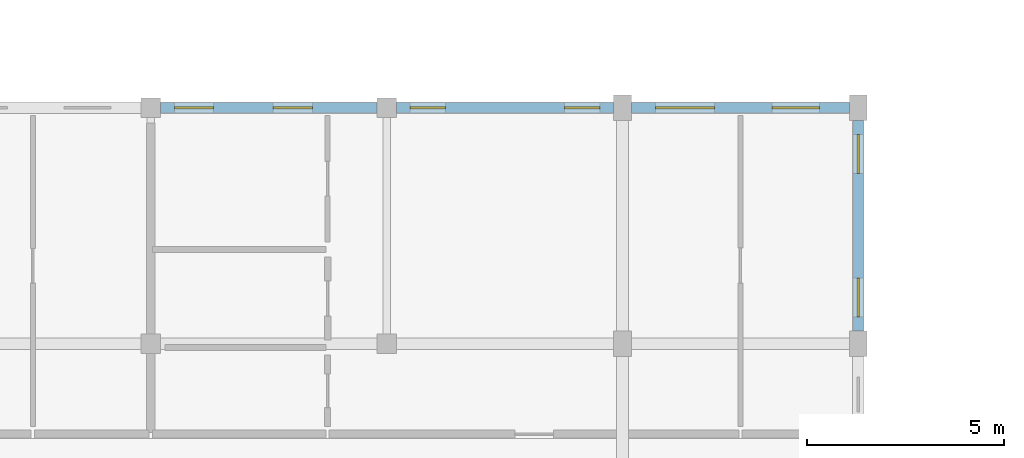
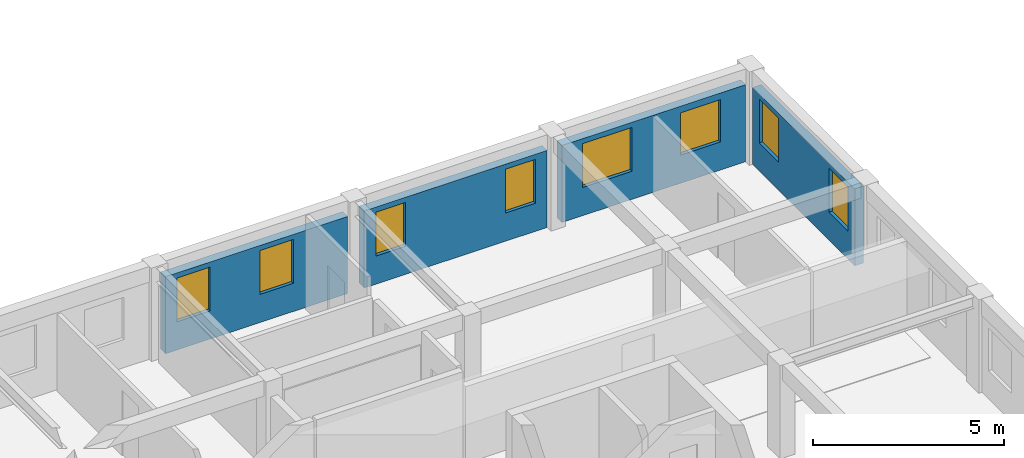
# One storey, part 8 of 23: 8 windows, 4 walls, 8 openings.
"""IFC4 building model written with IfcOpenShell, lengths in metres."""

from ifc_helpers import new_model, si_unit, direction, frame, frame_2d, origin, place, context, subcontext, project, spatial, rectangle, extrude, material, layer, layer_set, type_object, element, fill, save


model = new_model("IFC4")

# Units and contexts
model_context = context("Model", 3, precision=1e-05, world=origin(), true_north=direction((0.0, 1.0)))
body_context = subcontext(model_context, "Body", "Model", "MODEL_VIEW")
ifc_project = project(units=[si_unit("LENGTHUNIT", "METRE"), si_unit("AREAUNIT", "SQUARE_METRE"), si_unit("VOLUMEUNIT", "CUBIC_METRE"), si_unit("PLANEANGLEUNIT", "RADIAN"), si_unit("MASSUNIT", "GRAM", prefix="KILO"), si_unit("POWERUNIT", "WATT"), si_unit("THERMODYNAMICTEMPERATUREUNIT", "KELVIN")], contexts=[model_context])

# Site, building, storey
site_placement = place(None, origin())
site = spatial("IfcSite", under=ifc_project, at=site_placement, CompositionType="ELEMENT")
building_placement = place(site_placement, origin())
building = spatial("IfcBuilding", under=site, at=building_placement, Name="Ruvembo Vaulted Housing Court", CompositionType="ELEMENT")
storey_placement = place(building_placement, frame((0.0, 0.0, 26.89990234375)))
storey = spatial("IfcBuildingStorey", under=building, at=storey_placement, Name="L08", CompositionType="ELEMENT", Elevation=26.89990234375)

# Wall, openings, windows
ifc_material_1 = material(Name="Rendered Masonry 260", Category="masonry")
ifc_layer = layer(ifc_material_1, 0.260009765625, Name="Rendered Masonry 260")
ifc_layer_set = layer_set([ifc_layer], Name="Rendered Masonry 260")
wall_type = type_object("IfcWallType", Name="WL-EXT-260", PredefinedType="STANDARD", material=ifc_layer_set)
wall_1_placement = place(storey_placement, frame((36.0, 30.324951171875, 0.0), z_axis=(0.0, 0.0, 1.0), x_axis=(0.0, 1.0, 0.0)))
wall_1 = element("IfcWall", 1, at=wall_1_placement, inside=storey, type_object=wall_type, Name="Block A L08 Exterior Wall EAST #5", PredefinedType="STANDARD", context=body_context, shape_type="SweptSolid", body=[
    extrude(rectangle(XDim=5.35009765625, YDim=0.260009765625, at=frame_2d((2.675048828125, 0.0))), origin(), (0.0, 0.0, 1.0), 2.462158203125),
])
opening_1_placement = place(wall_1_placement, frame((0.35009765625, 0.0, 0.89990234375)))
opening_1 = element("IfcOpeningElement", 2, at=opening_1_placement, cuts=wall_1, Name="Opening W08", PredefinedType="OPENING", context=body_context, shape_type="SweptSolid", body=[
    extrude(rectangle(XDim=1.0, YDim=1.39990234375, at=frame_2d((0.5, 0.699951171875))), frame((0.0, 0.139892578125, 0.0), z_axis=(0.0, -1.0, 0.0), x_axis=(1.0, 0.0, 0.0)), (0.0, 0.0, 1.0), 0.280029296875),
])
opening_2_placement = place(wall_1_placement, frame((4.0, 0.0, 0.89990234375)))
opening_2 = element("IfcOpeningElement", 3, at=opening_2_placement, cuts=wall_1, Name="Opening W08", PredefinedType="OPENING", context=body_context, shape_type="SweptSolid", body=[
    extrude(rectangle(XDim=1.0, YDim=1.39990234375, at=frame_2d((0.5, 0.699951171875))), frame((0.0, 0.139892578125, 0.0), z_axis=(0.0, -1.0, 0.0), x_axis=(1.0, 0.0, 0.0)), (0.0, 0.0, 1.0), 0.280029296875),
])
ifc_material_2 = material(Name="Double Solar-Control Glazing in Aluminium Frame", Category="aluminium")
window_type_1 = type_object("IfcWindowType", Name="WIN-1000x1400", PartitioningType="SINGLE_PANEL", PredefinedType="WINDOW", material=ifc_material_2)
window_1_placement = place(opening_1_placement, origin())
window_1 = element("IfcWindow", 4, at=window_1_placement, inside=storey, type_object=window_type_1, Name="Block A L08 Window #362", OverallHeight=1.39990234375, OverallWidth=1.0, PartitioningType="SINGLE_PANEL", PredefinedType="WINDOW", context=body_context, shape_type="SweptSolid", body=[
    extrude(rectangle(XDim=1.0, YDim=1.39990234375, at=frame_2d((0.5, 0.699951171875))), frame((0.0, 0.030029296875, 0.0), z_axis=(0.0, -1.0, 0.0), x_axis=(1.0, 0.0, 0.0)), (0.0, 0.0, 1.0), 0.06005859375),
])
fill(opening_1, window_1)
window_2_placement = place(opening_2_placement, origin())
window_2 = element("IfcWindow", 5, at=window_2_placement, inside=storey, type_object=window_type_1, Name="Block A L08 Window #363", OverallHeight=1.39990234375, OverallWidth=1.0, PartitioningType="SINGLE_PANEL", PredefinedType="WINDOW", context=body_context, shape_type="SweptSolid", body=[
    extrude(rectangle(XDim=1.0, YDim=1.39990234375, at=frame_2d((0.5, 0.699951171875))), frame((0.0, 0.030029296875, 0.0), z_axis=(0.0, -1.0, 0.0), x_axis=(1.0, 0.0, 0.0)), (0.0, 0.0, 1.0), 0.06005859375),
])
fill(opening_2, window_2)

wall_2_placement = place(storey_placement, frame((35.77490234375, 36.0, 0.0), z_axis=(0.0, 0.0, 1.0), x_axis=(-1.0, 0.0, 0.0)))
wall_2 = element("IfcWall", 6, at=wall_2_placement, inside=storey, type_object=wall_type, Name="Block A L08 Exterior Wall COURTYARD #1", PredefinedType="STANDARD", context=body_context, shape_type="SweptSolid", body=[
    extrude(rectangle(XDim=5.5498046875, YDim=0.260009765625, at=frame_2d((2.77490234375, 0.0))), origin(), (0.0, 0.0, 1.0), 2.462158203125),
])
opening_3_placement = place(wall_2_placement, frame((0.767578125, 0.0, 0.89990234375)))
opening_3 = element("IfcOpeningElement", 7, at=opening_3_placement, cuts=wall_2, Name="Opening W12", PredefinedType="OPENING", context=body_context, shape_type="SweptSolid", body=[
    extrude(rectangle(XDim=1.199951171875, YDim=1.35009765625, at=frame_2d((0.60009765625, 0.675048828125))), frame((0.0, 0.139892578125, 0.0), z_axis=(0.0, -1.0, 0.0), x_axis=(1.0, 0.0, 0.0)), (0.0, 0.0, 1.0), 0.280029296875),
])
opening_4_placement = place(wall_2_placement, frame((3.4326171875, 0.0, 0.89990234375)))
opening_4 = element("IfcOpeningElement", 8, at=opening_4_placement, cuts=wall_2, Name="Opening W18", PredefinedType="OPENING", context=body_context, shape_type="SweptSolid", body=[
    extrude(rectangle(XDim=1.5, YDim=1.39990234375, at=frame_2d((0.75, 0.699951171875))), frame((0.0, 0.139892578125, 0.0), z_axis=(0.0, -1.0, 0.0), x_axis=(1.0, 0.0, 0.0)), (0.0, 0.0, 1.0), 0.280029296875),
])
window_type_2 = type_object("IfcWindowType", Name="WIN-1200x1350", PartitioningType="SINGLE_PANEL", PredefinedType="WINDOW", material=ifc_material_2)
window_3_placement = place(opening_3_placement, origin())
window_3 = element("IfcWindow", 9, at=window_3_placement, inside=storey, type_object=window_type_2, Name="Block A L08 Window #364", OverallHeight=1.35009765625, OverallWidth=1.199951171875, PartitioningType="SINGLE_PANEL", PredefinedType="WINDOW", context=body_context, shape_type="SweptSolid", body=[
    extrude(rectangle(XDim=1.199951171875, YDim=1.35009765625, at=frame_2d((0.60009765625, 0.675048828125))), frame((0.0, 0.030029296875, 0.0), z_axis=(0.0, -1.0, 0.0), x_axis=(1.0, 0.0, 0.0)), (0.0, 0.0, 1.0), 0.06005859375),
])
fill(opening_3, window_3)
window_type_3 = type_object("IfcWindowType", Name="WIN-1500x1400", PartitioningType="SINGLE_PANEL", PredefinedType="WINDOW", material=ifc_material_2)
window_4_placement = place(opening_4_placement, origin())
window_4 = element("IfcWindow", 10, at=window_4_placement, inside=storey, type_object=window_type_3, Name="Block A L08 Window #365", OverallHeight=1.39990234375, OverallWidth=1.5, PartitioningType="SINGLE_PANEL", PredefinedType="WINDOW", context=body_context, shape_type="SweptSolid", body=[
    extrude(rectangle(XDim=1.5, YDim=1.39990234375, at=frame_2d((0.75, 0.699951171875))), frame((0.0, 0.030029296875, 0.0), z_axis=(0.0, -1.0, 0.0), x_axis=(1.0, 0.0, 0.0)), (0.0, 0.0, 1.0), 0.06005859375),
])
fill(opening_4, window_4)

wall_3_placement = place(storey_placement, frame((29.77490234375, 36.0, 0.0), z_axis=(0.0, 0.0, 1.0), x_axis=(-1.0, 0.0, 0.0)))
wall_3 = element("IfcWall", 11, at=wall_3_placement, inside=storey, type_object=wall_type, Name="Block A L08 Exterior Wall COURTYARD #2", PredefinedType="STANDARD", context=body_context, shape_type="SweptSolid", body=[
    extrude(rectangle(XDim=5.52490234375, YDim=0.260009765625, at=frame_2d((2.762451171875, 0.0))), origin(), (0.0, 0.0, 1.0), 2.462158203125),
])
opening_5_placement = place(wall_3_placement, frame((0.35009765625, 0.0, 0.89990234375)))
opening_5 = element("IfcOpeningElement", 12, at=opening_5_placement, cuts=wall_3, Name="Opening W05", PredefinedType="OPENING", context=body_context, shape_type="SweptSolid", body=[
    extrude(rectangle(XDim=0.89990234375, YDim=1.39990234375, at=frame_2d((0.449951171875, 0.699951171875))), frame((0.0, 0.139892578125, 0.0), z_axis=(0.0, -1.0, 0.0), x_axis=(1.0, 0.0, 0.0)), (0.0, 0.0, 1.0), 0.280029296875),
])
opening_6_placement = place(wall_3_placement, frame((4.27490234375, 0.0, 0.89990234375)))
opening_6 = element("IfcOpeningElement", 13, at=opening_6_placement, cuts=wall_3, Name="Opening W05", PredefinedType="OPENING", context=body_context, shape_type="SweptSolid", body=[
    extrude(rectangle(XDim=0.89990234375, YDim=1.39990234375, at=frame_2d((0.449951171875, 0.699951171875))), frame((0.0, 0.139892578125, 0.0), z_axis=(0.0, -1.0, 0.0), x_axis=(1.0, 0.0, 0.0)), (0.0, 0.0, 1.0), 0.280029296875),
])
window_type_4 = type_object("IfcWindowType", Name="WIN-0900x1400", PartitioningType="SINGLE_PANEL", PredefinedType="WINDOW", material=ifc_material_2)
window_5_placement = place(opening_5_placement, origin())
window_5 = element("IfcWindow", 14, at=window_5_placement, inside=storey, type_object=window_type_4, Name="Block A L08 Window #366", OverallHeight=1.39990234375, OverallWidth=0.89990234375, PartitioningType="SINGLE_PANEL", PredefinedType="WINDOW", context=body_context, shape_type="SweptSolid", body=[
    extrude(rectangle(XDim=0.89990234375, YDim=1.39990234375, at=frame_2d((0.449951171875, 0.699951171875))), frame((0.0, 0.030029296875, 0.0), z_axis=(0.0, -1.0, 0.0), x_axis=(1.0, 0.0, 0.0)), (0.0, 0.0, 1.0), 0.06005859375),
])
fill(opening_5, window_5)
window_6_placement = place(opening_6_placement, origin())
window_6 = element("IfcWindow", 15, at=window_6_placement, inside=storey, type_object=window_type_4, Name="Block A L08 Window #367", OverallHeight=1.39990234375, OverallWidth=0.89990234375, PartitioningType="SINGLE_PANEL", PredefinedType="WINDOW", context=body_context, shape_type="SweptSolid", body=[
    extrude(rectangle(XDim=0.89990234375, YDim=1.39990234375, at=frame_2d((0.449951171875, 0.699951171875))), frame((0.0, 0.030029296875, 0.0), z_axis=(0.0, -1.0, 0.0), x_axis=(1.0, 0.0, 0.0)), (0.0, 0.0, 1.0), 0.06005859375),
])
fill(opening_6, window_6)

wall_4_placement = place(storey_placement, frame((23.75, 36.0, 0.0), z_axis=(0.0, 0.0, 1.0), x_axis=(-1.0, 0.0, 0.0)))
wall_4 = element("IfcWall", 16, at=wall_4_placement, inside=storey, type_object=wall_type, Name="Block A L08 Exterior Wall COURTYARD #3", PredefinedType="STANDARD", context=body_context, shape_type="SweptSolid", body=[
    extrude(rectangle(XDim=5.5, YDim=0.260009765625, at=frame_2d((2.75, 0.0))), origin(), (0.0, 0.0, 1.0), 2.462158203125),
])
opening_7_placement = place(wall_4_placement, frame((1.639892578125, 0.0, 0.89990234375)))
opening_7 = element("IfcOpeningElement", 17, at=opening_7_placement, cuts=wall_4, Name="Opening W08", PredefinedType="OPENING", context=body_context, shape_type="SweptSolid", body=[
    extrude(rectangle(XDim=1.0, YDim=1.39990234375, at=frame_2d((0.5, 0.699951171875))), frame((0.0, 0.139892578125, 0.0), z_axis=(0.0, -1.0, 0.0), x_axis=(1.0, 0.0, 0.0)), (0.0, 0.0, 1.0), 0.280029296875),
])
opening_8_placement = place(wall_4_placement, frame((4.14990234375, 0.0, 0.89990234375)))
opening_8 = element("IfcOpeningElement", 18, at=opening_8_placement, cuts=wall_4, Name="Opening W08", PredefinedType="OPENING", context=body_context, shape_type="SweptSolid", body=[
    extrude(rectangle(XDim=1.0, YDim=1.39990234375, at=frame_2d((0.5, 0.699951171875))), frame((0.0, 0.139892578125, 0.0), z_axis=(0.0, -1.0, 0.0), x_axis=(1.0, 0.0, 0.0)), (0.0, 0.0, 1.0), 0.280029296875),
])
window_7_placement = place(opening_7_placement, origin())
window_7 = element("IfcWindow", 19, at=window_7_placement, inside=storey, type_object=window_type_1, Name="Block A L08 Window #368", OverallHeight=1.39990234375, OverallWidth=1.0, PartitioningType="SINGLE_PANEL", PredefinedType="WINDOW", context=body_context, shape_type="SweptSolid", body=[
    extrude(rectangle(XDim=1.0, YDim=1.39990234375, at=frame_2d((0.5, 0.699951171875))), frame((0.0, 0.030029296875, 0.0), z_axis=(0.0, -1.0, 0.0), x_axis=(1.0, 0.0, 0.0)), (0.0, 0.0, 1.0), 0.06005859375),
])
fill(opening_7, window_7)
window_8_placement = place(opening_8_placement, origin())
window_8 = element("IfcWindow", 20, at=window_8_placement, inside=storey, type_object=window_type_1, Name="Block A L08 Window #369", OverallHeight=1.39990234375, OverallWidth=1.0, PartitioningType="SINGLE_PANEL", PredefinedType="WINDOW", context=body_context, shape_type="SweptSolid", body=[
    extrude(rectangle(XDim=1.0, YDim=1.39990234375, at=frame_2d((0.5, 0.699951171875))), frame((0.0, 0.030029296875, 0.0), z_axis=(0.0, -1.0, 0.0), x_axis=(1.0, 0.0, 0.0)), (0.0, 0.0, 1.0), 0.06005859375),
])
fill(opening_8, window_8)

save(model, "model.ifc")
